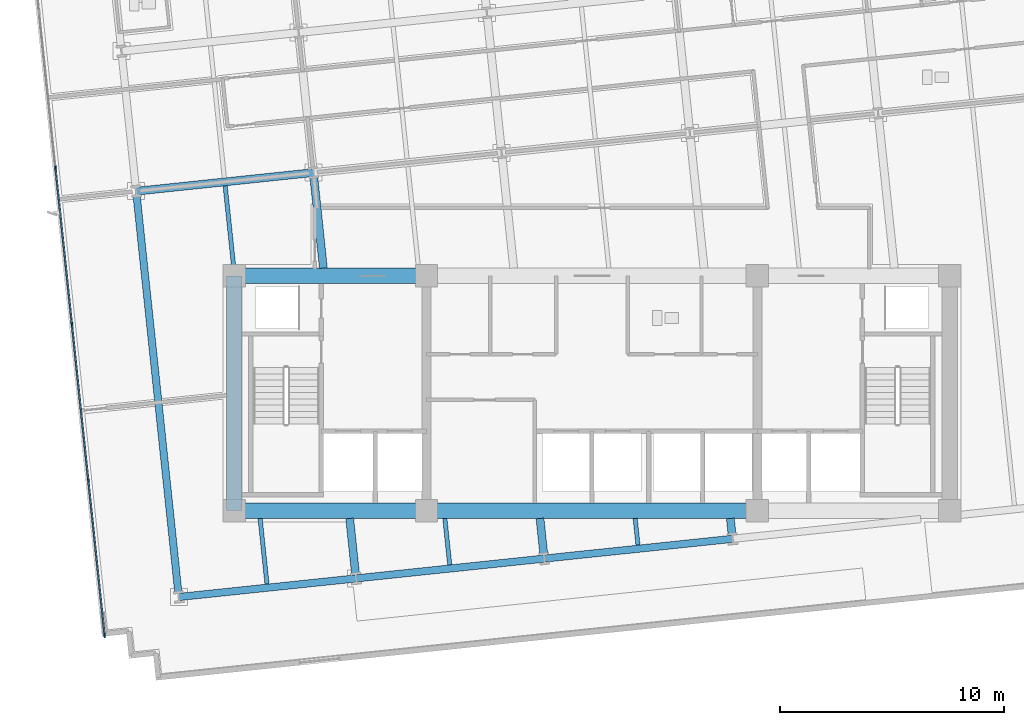
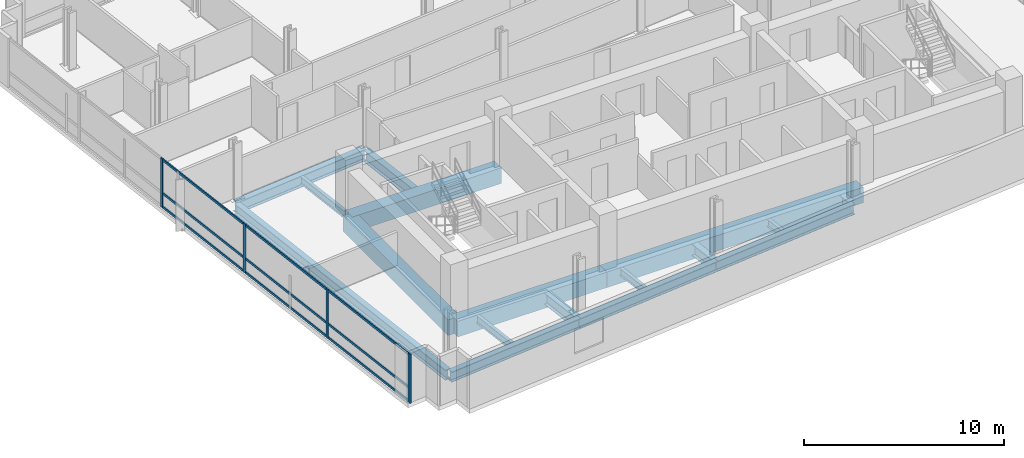
# One storey, part 2 of 18: 17 beams, 13 members, 1 element without a shape of its own.
"""IFC4 building model written with IfcOpenShell, lengths in metres."""

from ifc_helpers import new_model, si_unit, direction, frame, origin, origin_2d, place, context, subcontext, project, spatial, rectangle, i_section, extrude, material, material_profile, profile_set, type_object, element, aggregate, save


model = new_model("IFC4")

# Units and contexts
model_context = context("Model", 3, precision=1e-05, world=origin(), true_north=direction((0.0, 1.0)))
body_context = subcontext(model_context, "Body", "Model", "MODEL_VIEW")
ifc_project = project(units=[si_unit("LENGTHUNIT", "METRE"), si_unit("AREAUNIT", "SQUARE_METRE"), si_unit("VOLUMEUNIT", "CUBIC_METRE"), si_unit("PLANEANGLEUNIT", "RADIAN"), si_unit("MASSUNIT", "GRAM", prefix="KILO")], contexts=[model_context])

# Site, building, storey
site_placement = place(None, origin())
site = spatial("IfcSite", under=ifc_project, at=site_placement, CompositionType="ELEMENT")
building_placement = place(site_placement, origin())
building = spatial("IfcBuilding", under=site, at=building_placement, Name="Solmavex Isthmus Hotel", CompositionType="ELEMENT")
storey_placement = place(building_placement, frame((0.0, 0.0, 127.050048828125)))
storey = spatial("IfcBuildingStorey", under=building, at=storey_placement, Name="L34", CompositionType="ELEMENT", Elevation=127.050048828125)

# Beams
ifc_material_1 = material(Name="Steel ASTM A992 Grade 50", Category="steel")
ifc_material_profile_1 = material_profile(ifc_material_1, i_section(OverallWidth=0.354736328125, OverallDepth=0.695556640625, WebThickness=0.015380859375, FlangeThickness=0.02490234375, FilletRadius=0.017822265625, at=origin_2d()), Name="W27X146")
ifc_profile_set_1 = profile_set([ifc_material_profile_1], Name="Steel ASTM A992 Grade 50")
beam_type_1 = type_object("IfcBeamType", Name="BM-BG-W27X146", PredefinedType="BEAM", material=ifc_profile_set_1)
beam_1_placement = place(storey_placement, frame((-20.383056640625, 1.28564453125, -0.60791015625), z_axis=(0.994520217478, 0.10454442609, 0.0), x_axis=(-0.10454442609, 0.994520217478, 0.0)))
element("IfcBeam", 1, at=beam_1_placement, inside=storey, type_object=beam_type_1, Name="Floor Girder L34-UG07", PredefinedType="BEAM", context=body_context, shape_type="SweptSolid", body=[
    extrude(i_section(OverallWidth=0.354736328125, OverallDepth=0.695556640625, WebThickness=0.015380859375, FlangeThickness=0.02490234375, FilletRadius=0.017822265625, at=origin_2d()), origin(), (0.0, 0.0, 1.0), 7.968017578125),
])
beam_2_placement = place(storey_placement, frame((-10.568115234375, -15.868896484375, -0.60791015625), z_axis=(-0.104589444628, 0.994515484079, 0.0), x_axis=(-0.994515484079, -0.104589444628, 0.0)))
element("IfcBeam", 2, at=beam_2_placement, inside=storey, type_object=beam_type_1, Name="Floor Beam L34-VG28", PredefinedType="BEAM", context=body_context, shape_type="SweptSolid", body=[
    extrude(i_section(OverallWidth=0.354736328125, OverallDepth=0.695556640625, WebThickness=0.015380859375, FlangeThickness=0.02490234375, FilletRadius=0.017822265625, at=origin_2d()), origin(), (0.0, 0.0, 1.0), 2.53271484375),
])
beam_3_placement = place(storey_placement, frame((-12.010009765625, -2.14990234375, -0.60791015625), z_axis=(-0.104548881212, 0.994519749144, 0.0), x_axis=(-0.994519749144, -0.104548881212, 0.0)))
element("IfcBeam", 3, at=beam_3_placement, inside=storey, type_object=beam_type_1, Name="Floor Beam L34-VG29", PredefinedType="BEAM", context=body_context, shape_type="SweptSolid", body=[
    extrude(i_section(OverallWidth=0.354736328125, OverallDepth=0.695556640625, WebThickness=0.015380859375, FlangeThickness=0.02490234375, FilletRadius=0.017822265625, at=origin_2d()), origin(), (0.0, 0.0, 1.0), 4.114501953125),
])
beam_4_placement = place(storey_placement, frame((-2.148681640625, -14.984130859375, -0.60791015625), z_axis=(-0.104460468373, 0.99452903957, 0.0), x_axis=(-0.99452903957, -0.104460468373, 0.0)))
element("IfcBeam", 4, at=beam_4_placement, inside=storey, type_object=beam_type_1, Name="Floor Beam L34-VG32", PredefinedType="BEAM", context=body_context, shape_type="SweptSolid", body=[
    extrude(i_section(OverallWidth=0.354736328125, OverallDepth=0.695556640625, WebThickness=0.015380859375, FlangeThickness=0.02490234375, FilletRadius=0.017822265625, at=origin_2d()), origin(), (0.0, 0.0, 1.0), 1.64306640625),
])
beam_5_placement = place(storey_placement, frame((6.27099609375, -14.09912109375, -0.60791015625), z_axis=(-0.104381041728, 0.99453737895, 0.0), x_axis=(-0.99453737895, -0.104381041728, 0.0)))
element("IfcBeam", 5, at=beam_5_placement, inside=storey, type_object=beam_type_1, Name="Floor Beam L34-VG36", PredefinedType="BEAM", context=body_context, shape_type="SweptSolid", body=[
    extrude(i_section(OverallWidth=0.354736328125, OverallDepth=0.695556640625, WebThickness=0.015380859375, FlangeThickness=0.02490234375, FilletRadius=0.017822265625, at=origin_2d()), origin(), (0.0, 0.0, 1.0), 0.753173828125),
])
ifc_material_profile_2 = material_profile(ifc_material_1, i_section(OverallWidth=0.1904296875, OverallDepth=0.456787109375, WebThickness=0.009033203125, FlangeThickness=0.014404296875, FilletRadius=0.0126953125, at=origin_2d()), Name="W18X50")
ifc_profile_set_2 = profile_set([ifc_material_profile_2], Name="Steel ASTM A992 Grade 50")
beam_type_2 = type_object("IfcBeamType", Name="BM-BJ-W18X50", PredefinedType="JOIST", material=ifc_profile_set_2)
beam_6_placement = place(storey_placement, frame((-14.5302734375, -16.285400390625, -0.488525390625), z_axis=(-0.104555607512, 0.994519042019, 0.0), x_axis=(-0.994519042019, -0.104555607512, 0.0)))
element("IfcBeam", 6, at=beam_6_placement, inside=storey, type_object=beam_type_2, Name="Secondary Floor Joist L34-J01", PredefinedType="JOIST", context=body_context, shape_type="SweptSolid", body=[
    extrude(i_section(OverallWidth=0.1904296875, OverallDepth=0.456787109375, WebThickness=0.009033203125, FlangeThickness=0.014404296875, FilletRadius=0.0126953125, at=origin_2d()), origin(), (0.0, 0.0, 1.0), 2.951416015625),
])
beam_7_placement = place(storey_placement, frame((-16.01611328125, -2.14990234375, -0.488525390625), z_axis=(-0.104505969986, 0.99452425925, 0.0), x_axis=(-0.99452425925, -0.104505969986, 0.0)))
element("IfcBeam", 7, at=beam_7_placement, inside=storey, type_object=beam_type_2, Name="Secondary Floor Joist L34-J02", PredefinedType="JOIST", context=body_context, shape_type="SweptSolid", body=[
    extrude(i_section(OverallWidth=0.1904296875, OverallDepth=0.456787109375, WebThickness=0.009033203125, FlangeThickness=0.014404296875, FilletRadius=0.0126953125, at=origin_2d()), origin(), (0.0, 0.0, 1.0), 3.69580078125),
])
beam_8_placement = place(storey_placement, frame((-6.3583984375, -15.426513671875, -0.488525390625), z_axis=(-0.104538696399, 0.99452081977, 0.0), x_axis=(-0.99452081977, -0.104538696399, 0.0)))
element("IfcBeam", 8, at=beam_8_placement, inside=storey, type_object=beam_type_2, Name="Secondary Floor Joist L34-J05", PredefinedType="JOIST", context=body_context, shape_type="SweptSolid", body=[
    extrude(i_section(OverallWidth=0.1904296875, OverallDepth=0.456787109375, WebThickness=0.009033203125, FlangeThickness=0.014404296875, FilletRadius=0.0126953125, at=origin_2d()), origin(), (0.0, 0.0, 1.0), 2.087890625),
])
beam_9_placement = place(storey_placement, frame((2.061279296875, -14.54150390625, -0.488525390625), z_axis=(-0.104546872872, 0.994519960269, 0.0), x_axis=(-0.994519960269, -0.104546872872, 0.0)))
element("IfcBeam", 9, at=beam_9_placement, inside=storey, type_object=beam_type_2, Name="Secondary Floor Joist L34-J09", PredefinedType="JOIST", context=body_context, shape_type="SweptSolid", body=[
    extrude(i_section(OverallWidth=0.1904296875, OverallDepth=0.456787109375, WebThickness=0.009033203125, FlangeThickness=0.014404296875, FilletRadius=0.0126953125, at=origin_2d()), origin(), (0.0, 0.0, 1.0), 1.197998046875),
])
ifc_material_2 = material(Name="Concrete C60/75", Category="concrete")
ifc_material_profile_3 = material_profile(ifc_material_2, rectangle(XDim=0.699951171875, YDim=0.949951171875, at=origin_2d()), Name="RC700X950")
ifc_profile_set_3 = profile_set([ifc_material_profile_3], Name="Concrete C60/75")
beam_type_3 = type_object("IfcBeamType", Name="BM-CB-700X950", PredefinedType="BEAM", material=ifc_profile_set_3)
beam_10_placement = place(storey_placement, frame((-16.0, -13.0, -0.735107421875), z_axis=(1.0, 0.0, 0.0), x_axis=(0.0, 1.0, 0.0)))
element("IfcBeam", 10, at=beam_10_placement, inside=storey, type_object=beam_type_3, Name="Core Coupling Beam L34-CB1", PredefinedType="BEAM", context=body_context, shape_type="SweptSolid", body=[
    extrude(rectangle(XDim=0.699951171875, YDim=0.949951171875, at=origin_2d()), origin(), (0.0, 0.0, 1.0), 8.60009765625),
])
beam_11_placement = place(storey_placement, frame((-7.39990234375, -13.0, -0.735107421875), z_axis=(1.0, 0.0, 0.0), x_axis=(0.0, 1.0, 0.0)))
element("IfcBeam", 11, at=beam_11_placement, inside=storey, type_object=beam_type_3, Name="Core Coupling Beam L34-CB2", PredefinedType="BEAM", context=body_context, shape_type="SweptSolid", body=[
    extrude(rectangle(XDim=0.699951171875, YDim=0.949951171875, at=origin_2d()), origin(), (0.0, 0.0, 1.0), 14.7998046875),
])
beam_12_placement = place(storey_placement, frame((-16.0, -2.5, -0.735107421875), z_axis=(1.0, 0.0, 0.0), x_axis=(0.0, 1.0, 0.0)))
element("IfcBeam", 12, at=beam_12_placement, inside=storey, type_object=beam_type_3, Name="Core Coupling Beam L34-CB4", PredefinedType="BEAM", context=body_context, shape_type="SweptSolid", body=[
    extrude(rectangle(XDim=0.699951171875, YDim=0.949951171875, at=origin_2d()), origin(), (0.0, 0.0, 1.0), 8.60009765625),
])
beam_13_placement = place(storey_placement, frame((-16.0, -13.0, -0.735107421875), z_axis=(0.0, 1.0, 0.0), x_axis=(-1.0, 0.0, 0.0)))
element("IfcBeam", 13, at=beam_13_placement, inside=storey, type_object=beam_type_3, Name="Core Coupling Beam L34-CB7", PredefinedType="BEAM", context=body_context, shape_type="SweptSolid", body=[
    extrude(rectangle(XDim=0.699951171875, YDim=0.949951171875, at=origin_2d()), origin(), (0.0, 0.0, 1.0), 10.5),
])
ifc_material_profile_4 = material_profile(ifc_material_1, i_section(OverallWidth=0.326416015625, OverallDepth=0.621826171875, WebThickness=0.015380859375, FlangeThickness=0.0244140625, FilletRadius=0.01513671875, at=origin_2d()), Name="W24X131")
ifc_profile_set_4 = profile_set([ifc_material_profile_4], Name="Steel ASTM A992 Grade 50")
beam_type_4 = type_object("IfcBeamType", Name="BM-SP-W24X131", PredefinedType="SPANDREL", material=ifc_profile_set_4)
beam_14_placement = place(storey_placement, frame((-18.475341796875, -16.8642578125, -0.571044921875), z_axis=(0.994523402738, 0.104514120609, 0.0), x_axis=(-0.104514120609, 0.994523402738, 0.0)))
element("IfcBeam", 14, at=beam_14_placement, inside=storey, type_object=beam_type_4, Name="Floor Girder L34-UG01", PredefinedType="SPANDREL", context=body_context, shape_type="SweptSolid", body=[
    extrude(i_section(OverallWidth=0.326416015625, OverallDepth=0.621826171875, WebThickness=0.015380859375, FlangeThickness=0.0244140625, FilletRadius=0.01513671875, at=origin_2d()), origin(), (0.0, 0.0, 1.0), 7.968017578125),
])
beam_15_placement = place(storey_placement, frame((-10.551025390625, -16.031494140625, -0.571044921875), z_axis=(0.994520770064, 0.104539169271, 0.0), x_axis=(-0.104539169271, 0.994520770064, 0.0)))
element("IfcBeam", 15, at=beam_15_placement, inside=storey, type_object=beam_type_4, Name="Floor Girder L34-UG02", PredefinedType="SPANDREL", context=body_context, shape_type="SweptSolid", body=[
    extrude(i_section(OverallWidth=0.326416015625, OverallDepth=0.621826171875, WebThickness=0.015380859375, FlangeThickness=0.0244140625, FilletRadius=0.01513671875, at=origin_2d()), origin(), (0.0, 0.0, 1.0), 8.4658203125),
])
beam_16_placement = place(storey_placement, frame((-2.131591796875, -15.146484375, -0.571044921875), z_axis=(0.994521085209, 0.104536171134, 0.0), x_axis=(-0.104536171134, 0.994521085209, 0.0)))
element("IfcBeam", 16, at=beam_16_placement, inside=storey, type_object=beam_type_4, Name="Floor Girder L34-UG03", PredefinedType="SPANDREL", context=body_context, shape_type="SweptSolid", body=[
    extrude(i_section(OverallWidth=0.326416015625, OverallDepth=0.621826171875, WebThickness=0.015380859375, FlangeThickness=0.0244140625, FilletRadius=0.01513671875, at=origin_2d()), origin(), (0.0, 0.0, 1.0), 8.466064453125),
])
beam_17_placement = place(storey_placement, frame((-18.492431640625, -16.701904296875, -0.571044921875), z_axis=(-0.104530088192, 0.99452172458, 0.0), x_axis=(-0.99452172458, -0.104530088192, 0.0)))
element("IfcBeam", 17, at=beam_17_placement, inside=storey, type_object=beam_type_4, Name="Floor Beam L34-VG25", PredefinedType="SPANDREL", context=body_context, shape_type="SweptSolid", body=[
    extrude(i_section(OverallWidth=0.326416015625, OverallDepth=0.621826171875, WebThickness=0.015380859375, FlangeThickness=0.0244140625, FilletRadius=0.01513671875, at=origin_2d()), origin(), (0.0, 0.0, 1.0), 17.909423828125),
])

# Curtain wall, members
ifc_material_3 = material(Name="Aluminium alloy 6063-T6", Category="aluminium")
curtain_wall_type = type_object("IfcCurtainWallType", Name="CW-SYS-03", PredefinedType="NOTDEFINED", material=ifc_material_3)
curtain_wall_placement = place(storey_placement, origin())
curtain_wall = element("IfcCurtainWall", 18, at=curtain_wall_placement, inside=storey, type_object=curtain_wall_type, Name="Stick Curtain Wall CWL-L34-W1", PredefinedType="NOTDEFINED")
ifc_material_profile_5 = material_profile(ifc_material_3, rectangle(XDim=0.070068359375, YDim=0.179931640625, at=origin_2d()), Name="CWM-70X180")
ifc_profile_set_5 = profile_set([ifc_material_profile_5], Name="Aluminium alloy 6063-T6")
member_type_1 = type_object("IfcMemberType", Name="CW-SYS-03-MUL", PredefinedType="MULLION", material=ifc_profile_set_5)
member_1_placement = place(storey_placement, frame((-21.793701171875, -18.585693359375, 0.0), z_axis=(0.0, 0.0, 1.0), x_axis=(-0.994521893044, -0.104528485381, 0.0)))
member_1 = element("IfcMember", 19, at=member_1_placement, type_object=member_type_1, Name="CW-03 mullion 1", PredefinedType="MULLION", context=body_context, shape_type="SweptSolid", body=[
    extrude(rectangle(XDim=0.070068359375, YDim=0.179931640625, at=origin_2d()), origin(), (0.0, 0.0, 1.0), 3.0),
])
member_2_placement = place(storey_placement, frame((-22.52392578125, -11.638916015625, 0.0), z_axis=(0.0, 0.0, 1.0), x_axis=(-0.994521893044, -0.104528485381, 0.0)))
member_2 = element("IfcMember", 20, at=member_2_placement, type_object=member_type_1, Name="CW-03 mullion 2", PredefinedType="MULLION", context=body_context, shape_type="SweptSolid", body=[
    extrude(rectangle(XDim=0.070068359375, YDim=0.179931640625, at=origin_2d()), origin(), (0.0, 0.0, 1.0), 3.0),
])
member_3_placement = place(storey_placement, frame((-23.257568359375, -4.6572265625, 0.0), z_axis=(0.0, 0.0, 1.0), x_axis=(-0.994521893044, -0.104528485381, 0.0)))
member_3 = element("IfcMember", 21, at=member_3_placement, type_object=member_type_1, Name="CW-03 mullion 3", PredefinedType="MULLION", context=body_context, shape_type="SweptSolid", body=[
    extrude(rectangle(XDim=0.070068359375, YDim=0.179931640625, at=origin_2d()), origin(), (0.0, 0.0, 1.0), 3.0),
])
member_4_placement = place(storey_placement, frame((-23.991455078125, 2.32421875, 0.0), z_axis=(0.0, 0.0, 1.0), x_axis=(-0.994521893044, -0.104528485381, 0.0)))
member_4 = element("IfcMember", 22, at=member_4_placement, type_object=member_type_1, Name="CW-03 mullion 4", PredefinedType="MULLION", context=body_context, shape_type="SweptSolid", body=[
    extrude(rectangle(XDim=0.070068359375, YDim=0.179931640625, at=origin_2d()), origin(), (0.0, 0.0, 1.0), 3.0),
])
ifc_material_profile_6 = material_profile(ifc_material_3, rectangle(XDim=0.070068359375, YDim=0.139892578125, at=origin_2d()), Name="CWT-70X140")
ifc_profile_set_6 = profile_set([ifc_material_profile_6], Name="Aluminium alloy 6063-T6")
member_type_2 = type_object("IfcMemberType", Name="CW-SYS-03-TRN", PredefinedType="USERDEFINED", material=ifc_profile_set_6)
member_5_placement = place(storey_placement, frame((-21.79736328125, -18.55078125, 0.070068359375), z_axis=(-0.104539595565, 0.994520725254, 0.0), x_axis=(-0.994520725254, -0.104539595565, 0.0)))
member_5 = element("IfcMember", 23, at=member_5_placement, type_object=member_type_2, Name="CW-03 transom 1.1", ObjectType="TRANSOM", PredefinedType="USERDEFINED", context=body_context, shape_type="SweptSolid", body=[
    extrude(rectangle(XDim=0.070068359375, YDim=0.139892578125, at=origin_2d()), origin(), (0.0, 0.0, 1.0), 6.9150390625),
])
member_6_placement = place(storey_placement, frame((-21.79736328125, -18.55078125, 0.89990234375), z_axis=(-0.104539595565, 0.994520725254, 0.0), x_axis=(-0.994520725254, -0.104539595565, 0.0)))
member_6 = element("IfcMember", 24, at=member_6_placement, type_object=member_type_2, Name="CW-03 transom 1.2", ObjectType="TRANSOM", PredefinedType="USERDEFINED", context=body_context, shape_type="SweptSolid", body=[
    extrude(rectangle(XDim=0.070068359375, YDim=0.139892578125, at=origin_2d()), origin(), (0.0, 0.0, 1.0), 6.9150390625),
])
member_7_placement = place(storey_placement, frame((-21.79736328125, -18.55078125, 2.929931640625), z_axis=(-0.104539595565, 0.994520725254, 0.0), x_axis=(-0.994520725254, -0.104539595565, 0.0)))
member_7 = element("IfcMember", 25, at=member_7_placement, type_object=member_type_2, Name="CW-03 transom 1.3", ObjectType="TRANSOM", PredefinedType="USERDEFINED", context=body_context, shape_type="SweptSolid", body=[
    extrude(rectangle(XDim=0.070068359375, YDim=0.139892578125, at=origin_2d()), origin(), (0.0, 0.0, 1.0), 6.9150390625),
])
member_8_placement = place(storey_placement, frame((-22.527587890625, -11.60400390625, 0.070068359375), z_axis=(-0.104507407784, 0.994524108163, 0.0), x_axis=(-0.994524108163, -0.104507407784, 0.0)))
member_8 = element("IfcMember", 26, at=member_8_placement, type_object=member_type_2, Name="CW-03 transom 2.1", ObjectType="TRANSOM", PredefinedType="USERDEFINED", context=body_context, shape_type="SweptSolid", body=[
    extrude(rectangle(XDim=0.070068359375, YDim=0.139892578125, at=origin_2d()), origin(), (0.0, 0.0, 1.0), 6.949951171875),
])
member_9_placement = place(storey_placement, frame((-22.527587890625, -11.60400390625, 0.89990234375), z_axis=(-0.104507407784, 0.994524108163, 0.0), x_axis=(-0.994524108163, -0.104507407784, 0.0)))
member_9 = element("IfcMember", 27, at=member_9_placement, type_object=member_type_2, Name="CW-03 transom 2.2", ObjectType="TRANSOM", PredefinedType="USERDEFINED", context=body_context, shape_type="SweptSolid", body=[
    extrude(rectangle(XDim=0.070068359375, YDim=0.139892578125, at=origin_2d()), origin(), (0.0, 0.0, 1.0), 6.949951171875),
])
member_10_placement = place(storey_placement, frame((-22.527587890625, -11.60400390625, 2.929931640625), z_axis=(-0.104507407784, 0.994524108163, 0.0), x_axis=(-0.994524108163, -0.104507407784, 0.0)))
member_10 = element("IfcMember", 28, at=member_10_placement, type_object=member_type_2, Name="CW-03 transom 2.3", ObjectType="TRANSOM", PredefinedType="USERDEFINED", context=body_context, shape_type="SweptSolid", body=[
    extrude(rectangle(XDim=0.070068359375, YDim=0.139892578125, at=origin_2d()), origin(), (0.0, 0.0, 1.0), 6.949951171875),
])
member_11_placement = place(storey_placement, frame((-23.26123046875, -4.62255859375, 0.070068359375), z_axis=(-0.104538500317, 0.994520840381, 0.0), x_axis=(-0.994520840381, -0.104538500317, 0.0)))
member_11 = element("IfcMember", 29, at=member_11_placement, type_object=member_type_2, Name="CW-03 transom 3.1", ObjectType="TRANSOM", PredefinedType="USERDEFINED", context=body_context, shape_type="SweptSolid", body=[
    extrude(rectangle(XDim=0.070068359375, YDim=0.139892578125, at=origin_2d()), origin(), (0.0, 0.0, 1.0), 6.9501953125),
])
member_12_placement = place(storey_placement, frame((-23.26123046875, -4.62255859375, 0.89990234375), z_axis=(-0.104538500317, 0.994520840381, 0.0), x_axis=(-0.994520840381, -0.104538500317, 0.0)))
member_12 = element("IfcMember", 30, at=member_12_placement, type_object=member_type_2, Name="CW-03 transom 3.2", ObjectType="TRANSOM", PredefinedType="USERDEFINED", context=body_context, shape_type="SweptSolid", body=[
    extrude(rectangle(XDim=0.070068359375, YDim=0.139892578125, at=origin_2d()), origin(), (0.0, 0.0, 1.0), 6.9501953125),
])
member_13_placement = place(storey_placement, frame((-23.26123046875, -4.62255859375, 2.929931640625), z_axis=(-0.104538500317, 0.994520840381, 0.0), x_axis=(-0.994520840381, -0.104538500317, 0.0)))
member_13 = element("IfcMember", 31, at=member_13_placement, type_object=member_type_2, Name="CW-03 transom 3.3", ObjectType="TRANSOM", PredefinedType="USERDEFINED", context=body_context, shape_type="SweptSolid", body=[
    extrude(rectangle(XDim=0.070068359375, YDim=0.139892578125, at=origin_2d()), origin(), (0.0, 0.0, 1.0), 6.9501953125),
])
aggregate(curtain_wall, [member_1, member_2, member_3, member_4, member_5, member_6, member_7, member_8, member_9, member_10, member_11, member_12, member_13])

save(model, "model.ifc")
